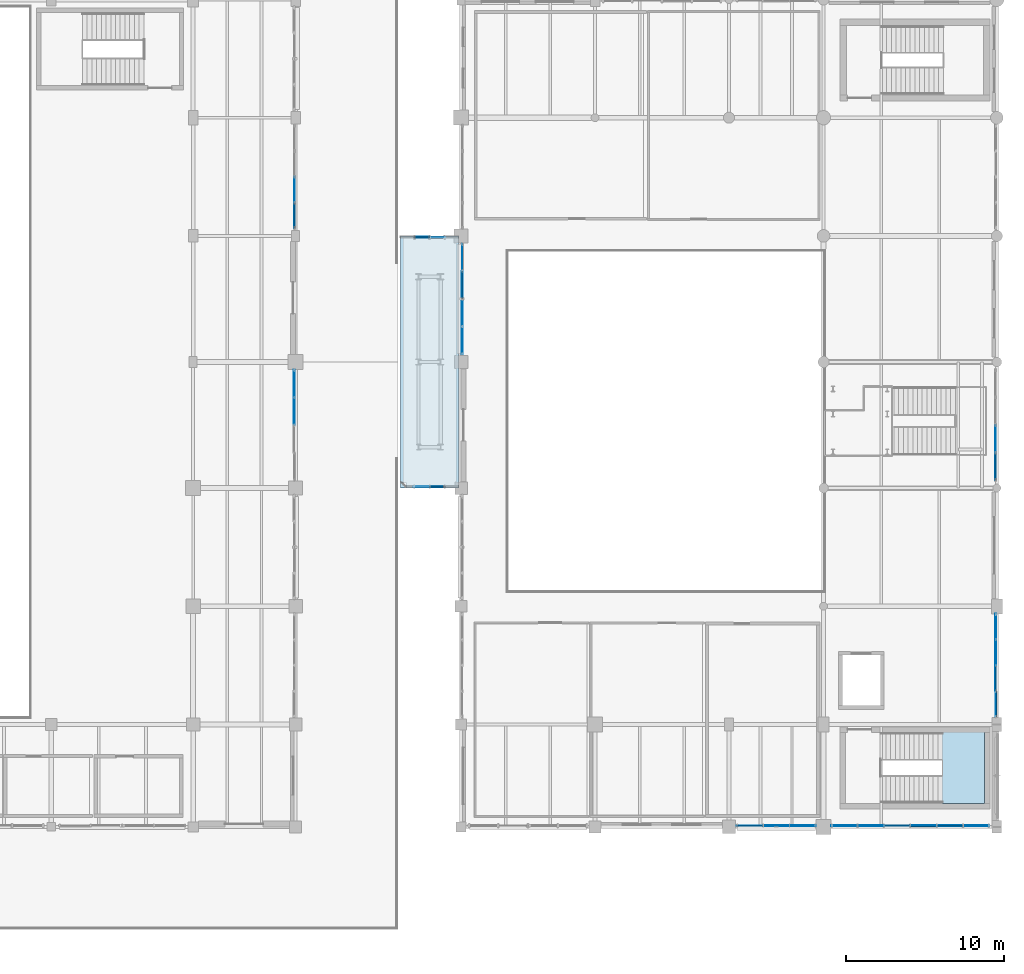
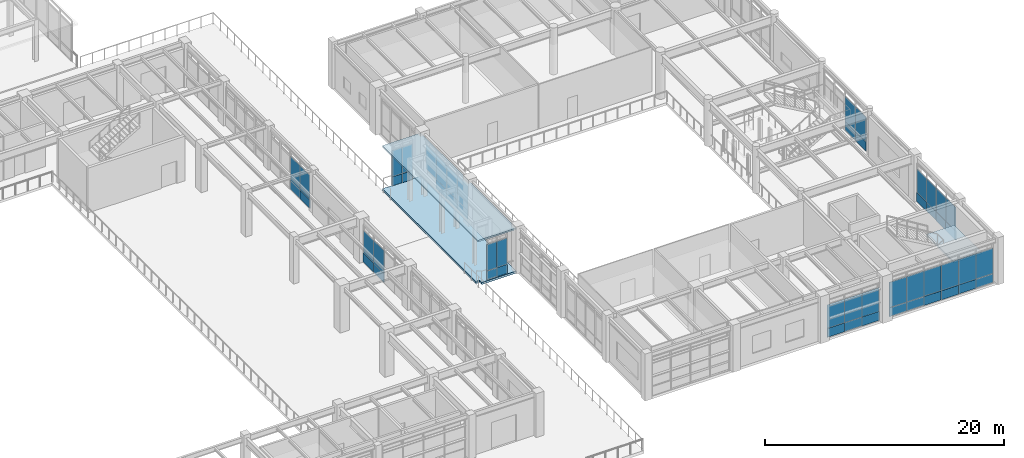
# One storey, part 164 of 200: 53 plates, 3 slabs, 10 elements without a shape of their own.
"""IFC4 building model written with IfcOpenShell, lengths in metres."""

from ifc_helpers import new_model, si_unit, direction, frame, origin, origin_2d, place, context, subcontext, project, spatial, polyline, rectangle, outline, extrude, material, layer, layer_set, type_object, element, aggregate, save


model = new_model("IFC4")

# Units and contexts
model_context = context("Model", 3, precision=1e-05, world=origin(), true_north=direction((0.0, 1.0)))
body_context = subcontext(model_context, "Body", "Model", "MODEL_VIEW")
ifc_project = project(units=[si_unit("LENGTHUNIT", "METRE"), si_unit("AREAUNIT", "SQUARE_METRE"), si_unit("VOLUMEUNIT", "CUBIC_METRE"), si_unit("PLANEANGLEUNIT", "RADIAN"), si_unit("MASSUNIT", "GRAM", prefix="KILO"), si_unit("THERMODYNAMICTEMPERATUREUNIT", "KELVIN"), si_unit("POWERUNIT", "WATT")], contexts=[model_context])

# Site, building, storey
site_placement = place(None, origin())
site = spatial("IfcSite", under=ifc_project, at=site_placement, CompositionType="ELEMENT")
building_placement = place(site_placement, origin())
building = spatial("IfcBuilding", under=site, at=building_placement, Name="Tepalcoro Natatorium and Aquatics Centre", CompositionType="ELEMENT")
storey_placement = place(building_placement, frame((0.0, 0.0, 5.39990234375)))
storey = spatial("IfcBuildingStorey", under=building, at=storey_placement, Name="L01", CompositionType="ELEMENT", Elevation=5.39990234375)

# Curtain wall, plate
ifc_material_1 = material(Name="Bronze-Anodised Extruded Aluminium Alloy EN AW-6063 T6", Category="aluminium")
curtain_wall_type_1 = type_object("IfcCurtainWallType", Name="CW_V1_PLINTH", PredefinedType="USERDEFINED", material=ifc_material_1)
curtain_wall_1_placement = place(storey_placement, origin())
curtain_wall_1 = element("IfcCurtainWall", 1, at=curtain_wall_1_placement, inside=storey, type_object=curtain_wall_type_1, Name="V1 L01 E Unitised Curtain Wall Bay 4", ObjectType="UNITISED STOREFRONT", PredefinedType="USERDEFINED")
ifc_material_2 = material(Name="Solar-Control Bronze Tempered Low-E Double Glazing", Category="glass")
ifc_layer_1 = layer(ifc_material_2, 0.048095703125)
ifc_layer_set_1 = layer_set([ifc_layer_1], Name="Solar-Control Bronze Tempered Low-E Double Glazing")
plate_type_1 = type_object("IfcPlateType", Name="PL_ACOUSTIC_IGU_48", PredefinedType="CURTAIN_PANEL", material=ifc_layer_set_1)
plate_1_placement = place(storey_placement, frame((131.409912109375, 32.8798828125, 0.9599609375), z_axis=(0.0, 0.0, 1.0), x_axis=(1.0, 0.0, 0.0)))
plate_1 = element("IfcPlate", 2, at=plate_1_placement, type_object=plate_type_1, Name="CW_V1_PLINTH Insulated Glazing Unit", PredefinedType="CURTAIN_PANEL", context=body_context, shape_type="SweptSolid", body=[
    extrude(rectangle(XDim=0.048095703125, YDim=1.739990234375, at=origin_2d()), origin(), (0.0, 0.0, 1.0), 2.318115234375),
])

curtain_wall_type_2 = type_object("IfcCurtainWallType", Name="CW_V3_FOYER", PredefinedType="USERDEFINED", material=ifc_material_1)
curtain_wall_2_placement = place(storey_placement, origin())
curtain_wall_2 = element("IfcCurtainWall", 3, at=curtain_wall_2_placement, inside=storey, type_object=curtain_wall_type_2, Name="V1 L01 E Unitised Curtain Wall Bay 6", ObjectType="UNITISED STOREFRONT", PredefinedType="USERDEFINED")
plate_2_placement = place(storey_placement, frame((131.4287109375, 46.9326171875, 0.9599609375), z_axis=(0.0, 0.0, 1.0), x_axis=(1.0, 0.0, 0.0)))
plate_2 = element("IfcPlate", 4, at=plate_2_placement, type_object=plate_type_1, Name="CW_V3_FOYER Insulated Glazing Unit", PredefinedType="CURTAIN_PANEL", context=body_context, shape_type="SweptSolid", body=[
    extrude(rectangle(XDim=0.048095703125, YDim=1.614990234375, at=origin_2d()), origin(), (0.0, 0.0, 1.0), 2.469970703125),
])

curtain_wall_type_3 = type_object("IfcCurtainWallType", Name="CW_V4_VILLAGE", PredefinedType="USERDEFINED", material=ifc_material_1)
curtain_wall_3_placement = place(storey_placement, origin())
curtain_wall_3 = element("IfcCurtainWall", 5, at=curtain_wall_3_placement, inside=storey, type_object=curtain_wall_type_3, Name="V2 L01 S Unitised Curtain Wall Bay 3", ObjectType="UNITISED STOREFRONT", PredefinedType="USERDEFINED")
plate_3_placement = place(storey_placement, frame((163.679931640625, 6.576171875, 0.960205078125), z_axis=(0.0, 0.0, 1.0), x_axis=(1.0, 0.0, 0.0)))
plate_3 = element("IfcPlate", 6, at=plate_3_placement, type_object=plate_type_1, Name="CW_V4_VILLAGE Insulated Glazing Unit", PredefinedType="CURTAIN_PANEL", context=body_context, shape_type="SweptSolid", body=[
    extrude(rectangle(XDim=1.659912109375, YDim=0.048095703125, at=origin_2d()), origin(), (0.0, 0.0, 1.0), 2.39794921875),
])

# Curtain wall, plates
curtain_wall_type_4 = type_object("IfcCurtainWallType", Name="CW_V5_LOWER", PredefinedType="USERDEFINED", material=ifc_material_1)
curtain_wall_4_placement = place(storey_placement, origin())
curtain_wall_4 = element("IfcCurtainWall", 7, at=curtain_wall_4_placement, inside=storey, type_object=curtain_wall_type_4, Name="V2 L01 S Unitised Curtain Wall Bay 4", ObjectType="UNITISED STOREFRONT", PredefinedType="USERDEFINED")
plate_4_placement = place(storey_placement, frame((167.989990234375, 6.580078125, 0.9599609375), z_axis=(0.0, 0.0, 1.0), x_axis=(1.0, 0.0, 0.0)))
plate_4 = element("IfcPlate", 8, at=plate_4_placement, type_object=plate_type_1, Name="CW_V5_LOWER Insulated Glazing Unit", PredefinedType="CURTAIN_PANEL", context=body_context, shape_type="SweptSolid", body=[
    extrude(rectangle(XDim=1.6533203125, YDim=0.048095703125, at=origin_2d()), origin(), (0.0, 0.0, 1.0), 2.596923828125),
])
plate_5_placement = place(storey_placement, frame((173.010009765625, 6.580078125, 0.9599609375), z_axis=(0.0, 0.0, 1.0), x_axis=(1.0, 0.0, 0.0)))
plate_5 = element("IfcPlate", 9, at=plate_5_placement, type_object=plate_type_1, Name="CW_V5_LOWER Insulated Glazing Unit", PredefinedType="CURTAIN_PANEL", context=body_context, shape_type="SweptSolid", body=[
    extrude(rectangle(XDim=1.6533203125, YDim=0.048095703125, at=origin_2d()), origin(), (0.0, 0.0, 1.0), 2.596923828125),
])

# Curtain wall, plate
curtain_wall_type_5 = type_object("IfcCurtainWallType", Name="CW_LEAN_T2_EW", PredefinedType="USERDEFINED", material=ifc_material_1)
curtain_wall_5_placement = place(storey_placement, origin())
curtain_wall_5 = element("IfcCurtainWall", 10, at=curtain_wall_5_placement, inside=storey, type_object=curtain_wall_type_5, Name="V2 L01 W Unitised Curtain Wall Bay 5", ObjectType="FACETED SOLAR GLAZING", PredefinedType="USERDEFINED")
plate_6_placement = place(storey_placement, frame((142.0712890625, 40.8798828125, 0.9599609375), z_axis=(0.0, 0.0, 1.0), x_axis=(1.0, 0.0, 0.0)))
plate_6 = element("IfcPlate", 11, at=plate_6_placement, type_object=plate_type_1, Name="CW_LEAN_T2_EW Insulated Glazing Unit", PredefinedType="CURTAIN_PANEL", context=body_context, shape_type="SweptSolid", body=[
    extrude(rectangle(XDim=0.048095703125, YDim=1.739990234375, at=origin_2d()), origin(), (0.0, 0.0, 1.0), 2.47412109375),
])

curtain_wall_type_6 = type_object("IfcCurtainWallType", Name="CW_LEAN_T2_NS", PredefinedType="USERDEFINED", material=ifc_material_1)
curtain_wall_6_placement = place(storey_placement, origin())
curtain_wall_6 = element("IfcCurtainWall", 12, at=curtain_wall_6_placement, inside=storey, type_object=curtain_wall_type_6, Name="V2 L01 E Unitised Curtain Wall Bay 2", ObjectType="FACETED SOLAR GLAZING", PredefinedType="USERDEFINED")
plate_7_placement = place(storey_placement, frame((175.923828125, 17.5673828125, 0.960205078125), z_axis=(0.0, 0.0, 1.0), x_axis=(1.0, 0.0, 0.0)))
plate_7 = element("IfcPlate", 13, at=plate_7_placement, type_object=plate_type_1, Name="CW_LEAN_T2_NS Insulated Glazing Unit", PredefinedType="CURTAIN_PANEL", context=body_context, shape_type="SweptSolid", body=[
    extrude(rectangle(XDim=0.048095703125, YDim=1.614990234375, at=origin_2d()), origin(), (0.0, 0.0, 1.0), 2.39794921875),
])

curtain_wall_7_placement = place(storey_placement, origin())
curtain_wall_7 = element("IfcCurtainWall", 14, at=curtain_wall_7_placement, inside=storey, type_object=curtain_wall_type_1, Name="V2 L01 E Unitised Curtain Wall Bay 4", ObjectType="UNITISED STOREFRONT", PredefinedType="USERDEFINED")
plate_8_placement = place(storey_placement, frame((175.909912109375, 31.1201171875, 0.9599609375), z_axis=(0.0, 0.0, 1.0), x_axis=(1.0, 0.0, 0.0)))
plate_8 = element("IfcPlate", 15, at=plate_8_placement, type_object=plate_type_1, Name="CW_V1_PLINTH Insulated Glazing Unit", PredefinedType="CURTAIN_PANEL", context=body_context, shape_type="SweptSolid", body=[
    extrude(rectangle(XDim=0.048095703125, YDim=1.739990234375, at=origin_2d()), origin(), (0.0, 0.0, 1.0), 2.550048828125),
])

curtain_wall_type_7 = type_object("IfcCurtainWallType", Name="CW_LINK_150", PredefinedType="USERDEFINED", material=ifc_material_1)
curtain_wall_8_placement = place(storey_placement, origin())
curtain_wall_8 = element("IfcCurtainWall", 16, at=curtain_wall_8_placement, inside=storey, type_object=curtain_wall_type_7, Name="East Diving Seismic Link Glazed Wall S L01", ObjectType="UNITISED STOREFRONT", PredefinedType="USERDEFINED")
plate_9_placement = place(storey_placement, frame((140.5, 28.080078125, 0.9599609375), z_axis=(0.0, 0.0, 1.0), x_axis=(1.0, 0.0, 0.0)))
plate_9 = element("IfcPlate", 17, at=plate_9_placement, type_object=plate_type_1, Name="CW_LINK_150 Insulated Glazing Unit", PredefinedType="CURTAIN_PANEL", context=body_context, shape_type="SweptSolid", body=[
    extrude(rectangle(XDim=0.97998046875, YDim=0.048095703125, at=origin_2d()), origin(), (0.0, 0.0, 1.0), 2.679931640625),
])

curtain_wall_9_placement = place(storey_placement, origin())
curtain_wall_9 = element("IfcCurtainWall", 18, at=curtain_wall_9_placement, inside=storey, type_object=curtain_wall_type_7, Name="East Diving Seismic Link Glazed Wall N L01", ObjectType="UNITISED STOREFRONT", PredefinedType="USERDEFINED")
plate_10_placement = place(storey_placement, frame((139.5, 43.919921875, 0.9599609375), z_axis=(0.0, 0.0, 1.0), x_axis=(1.0, 0.0, 0.0)))
plate_10 = element("IfcPlate", 19, at=plate_10_placement, type_object=plate_type_1, Name="CW_LINK_150 Insulated Glazing Unit", PredefinedType="CURTAIN_PANEL", context=body_context, shape_type="SweptSolid", body=[
    extrude(rectangle(XDim=0.97998046875, YDim=0.048095703125, at=origin_2d()), origin(), (0.0, 0.0, 1.0), 2.679931640625),
])

# Plate
ifc_layer_2 = layer(ifc_material_2, 0.028076171875)
ifc_layer_set_2 = layer_set([ifc_layer_2], Name="Solar-Control Bronze Tempered Low-E Double Glazing")
plate_type_2 = type_object("IfcPlateType", Name="PL_BRONZE_IGU_28", PredefinedType="CURTAIN_PANEL", material=ifc_layer_set_2)
plate_11_placement = place(storey_placement, frame((131.4287109375, 45.297607421875, 0.9599609375), z_axis=(0.0, 0.0, 1.0), x_axis=(1.0, 0.0, 0.0)))
plate_11 = element("IfcPlate", 20, at=plate_11_placement, type_object=plate_type_2, Name="CW_V3_FOYER Insulated Glazing Unit", PredefinedType="CURTAIN_PANEL", context=body_context, shape_type="SweptSolid", body=[
    extrude(rectangle(XDim=0.028076171875, YDim=1.614990234375, at=origin_2d()), origin(), (0.0, 0.0, 1.0), 2.469970703125),
])

plate_12_placement = place(storey_placement, frame((162.0, 6.576171875, 0.960205078125), z_axis=(0.0, 0.0, 1.0), x_axis=(1.0, 0.0, 0.0)))
plate_12 = element("IfcPlate", 21, at=plate_12_placement, type_object=plate_type_2, Name="CW_V4_VILLAGE Insulated Glazing Unit", PredefinedType="CURTAIN_PANEL", context=body_context, shape_type="SweptSolid", body=[
    extrude(rectangle(XDim=1.659912109375, YDim=0.028076171875, at=origin_2d()), origin(), (0.0, 0.0, 1.0), 2.39794921875),
])

plate_13_placement = place(storey_placement, frame((166.316650390625, 6.580078125, 0.9599609375), z_axis=(0.0, 0.0, 1.0), x_axis=(1.0, 0.0, 0.0)))
plate_13 = element("IfcPlate", 22, at=plate_13_placement, type_object=plate_type_2, Name="CW_V5_LOWER Insulated Glazing Unit", PredefinedType="CURTAIN_PANEL", context=body_context, shape_type="SweptSolid", body=[
    extrude(rectangle(XDim=1.6533203125, YDim=0.028076171875, at=origin_2d()), origin(), (0.0, 0.0, 1.0), 2.596923828125),
])

plate_14_placement = place(storey_placement, frame((171.336669921875, 6.580078125, 0.9599609375), z_axis=(0.0, 0.0, 1.0), x_axis=(1.0, 0.0, 0.0)))
plate_14 = element("IfcPlate", 23, at=plate_14_placement, type_object=plate_type_2, Name="CW_V5_LOWER Insulated Glazing Unit", PredefinedType="CURTAIN_PANEL", context=body_context, shape_type="SweptSolid", body=[
    extrude(rectangle(XDim=1.6533203125, YDim=0.028076171875, at=origin_2d()), origin(), (0.0, 0.0, 1.0), 2.596923828125),
])

plate_15_placement = place(storey_placement, frame((142.0712890625, 39.1201171875, 0.9599609375), z_axis=(0.0, 0.0, 1.0), x_axis=(1.0, 0.0, 0.0)))
plate_15 = element("IfcPlate", 24, at=plate_15_placement, type_object=plate_type_2, Name="CW_LEAN_T2_EW Insulated Glazing Unit", PredefinedType="CURTAIN_PANEL", context=body_context, shape_type="SweptSolid", body=[
    extrude(rectangle(XDim=0.028076171875, YDim=1.739990234375, at=origin_2d()), origin(), (0.0, 0.0, 1.0), 2.47412109375),
])

plate_16_placement = place(storey_placement, frame((175.923828125, 15.9326171875, 0.960205078125), z_axis=(0.0, 0.0, 1.0), x_axis=(1.0, 0.0, 0.0)))
plate_16 = element("IfcPlate", 25, at=plate_16_placement, type_object=plate_type_2, Name="CW_LEAN_T2_NS Insulated Glazing Unit", PredefinedType="CURTAIN_PANEL", context=body_context, shape_type="SweptSolid", body=[
    extrude(rectangle(XDim=0.028076171875, YDim=1.614990234375, at=origin_2d()), origin(), (0.0, 0.0, 1.0), 2.39794921875),
])

plate_17_placement = place(storey_placement, frame((175.909912109375, 29.360107421875, 0.9599609375), z_axis=(0.0, 0.0, 1.0), x_axis=(1.0, 0.0, 0.0)))
plate_17 = element("IfcPlate", 26, at=plate_17_placement, type_object=plate_type_2, Name="CW_V1_PLINTH Insulated Glazing Unit", PredefinedType="CURTAIN_PANEL", context=body_context, shape_type="SweptSolid", body=[
    extrude(rectangle(XDim=0.028076171875, YDim=1.739990234375, at=origin_2d()), origin(), (0.0, 0.0, 1.0), 2.550048828125),
])

plate_18_placement = place(storey_placement, frame((139.5, 28.080078125, 0.9599609375), z_axis=(0.0, 0.0, 1.0), x_axis=(1.0, 0.0, 0.0)))
plate_18 = element("IfcPlate", 27, at=plate_18_placement, type_object=plate_type_2, Name="CW_LINK_150 Insulated Glazing Unit", PredefinedType="CURTAIN_PANEL", context=body_context, shape_type="SweptSolid", body=[
    extrude(rectangle(XDim=0.97998046875, YDim=0.028076171875, at=origin_2d()), origin(), (0.0, 0.0, 1.0), 2.679931640625),
])

ifc_material_3 = material(Name="Jalisco Cantera Rosa Volcanic Tuff Ashlar Masonry", Category="masonry")
ifc_layer_3 = layer(ifc_material_3, 0.090087890625)
ifc_layer_set_3 = layer_set([ifc_layer_3], Name="Jalisco Cantera Rosa Volcanic Tuff Ashlar Masonry")
plate_type_3 = type_object("IfcPlateType", Name="PL_CANTERA_90", PredefinedType="SHEET", material=ifc_layer_set_3)
plate_19_placement = place(storey_placement, frame((169.663330078125, 6.580078125, 0.044921875), z_axis=(0.0, 0.0, 1.0), x_axis=(1.0, 0.0, 0.0)))
plate_19 = element("IfcPlate", 28, at=plate_19_placement, type_object=plate_type_3, Name="CW_V5_LOWER Spandrel & Screen Panel", PredefinedType="SHEET", context=body_context, shape_type="SweptSolid", body=[
    extrude(rectangle(XDim=1.6533203125, YDim=0.090087890625, at=origin_2d()), origin(), (0.0, 0.0, 1.0), 0.909912109375),
])

plate_20_placement = place(storey_placement, frame((142.0712890625, 40.8798828125, 0.044921875), z_axis=(0.0, 0.0, 1.0), x_axis=(1.0, 0.0, 0.0)))
plate_20 = element("IfcPlate", 29, at=plate_20_placement, type_object=plate_type_3, Name="CW_LEAN_T2_EW Spandrel & Screen Panel", PredefinedType="SHEET", context=body_context, shape_type="SweptSolid", body=[
    extrude(rectangle(XDim=0.090087890625, YDim=1.739990234375, at=origin_2d()), origin(), (0.0, 0.0, 1.0), 0.909912109375),
])

plate_21_placement = place(storey_placement, frame((140.5, 28.080078125, 0.044921875), z_axis=(0.0, 0.0, 1.0), x_axis=(1.0, 0.0, 0.0)))
plate_21 = element("IfcPlate", 30, at=plate_21_placement, type_object=plate_type_3, Name="CW_LINK_150 Spandrel & Screen Panel", PredefinedType="SHEET", context=body_context, shape_type="SweptSolid", body=[
    extrude(rectangle(XDim=0.97998046875, YDim=0.090087890625, at=origin_2d()), origin(), (0.0, 0.0, 1.0), 0.909912109375),
])

plate_22_placement = place(storey_placement, frame((139.5, 43.919921875, 0.044921875), z_axis=(0.0, 0.0, 1.0), x_axis=(1.0, 0.0, 0.0)))
plate_22 = element("IfcPlate", 31, at=plate_22_placement, type_object=plate_type_3, Name="CW_LINK_150 Spandrel & Screen Panel", PredefinedType="SHEET", context=body_context, shape_type="SweptSolid", body=[
    extrude(rectangle(XDim=0.97998046875, YDim=0.090087890625, at=origin_2d()), origin(), (0.0, 0.0, 1.0), 0.909912109375),
])

ifc_material_4 = material(Name="Clear Tempered Low-E Safety Glazing", Category="glass")
ifc_layer_4 = layer(ifc_material_4, 0.011962890625)
ifc_layer_set_4 = layer_set([ifc_layer_4], Name="Clear Tempered Low-E Safety Glazing")
plate_type_4 = type_object("IfcPlateType", Name="PL_GLASS_12", PredefinedType="CURTAIN_PANEL", material=ifc_layer_set_4)
plate_23_placement = place(storey_placement, frame((131.409912109375, 34.639892578125, 0.9599609375), z_axis=(0.0, 0.0, 1.0), x_axis=(1.0, 0.0, 0.0)))
plate_23 = element("IfcPlate", 32, at=plate_23_placement, type_object=plate_type_4, Name="CW_V1_PLINTH Insulated Glazing Unit", PredefinedType="CURTAIN_PANEL", context=body_context, shape_type="SweptSolid", body=[
    extrude(rectangle(XDim=0.011962890625, YDim=1.739990234375, at=origin_2d()), origin(), (0.0, 0.0, 1.0), 2.318115234375),
])

plate_24_placement = place(storey_placement, frame((160.320068359375, 6.576171875, 0.960205078125), z_axis=(0.0, 0.0, 1.0), x_axis=(1.0, 0.0, 0.0)))
plate_24 = element("IfcPlate", 33, at=plate_24_placement, type_object=plate_type_4, Name="CW_V4_VILLAGE Insulated Glazing Unit", PredefinedType="CURTAIN_PANEL", context=body_context, shape_type="SweptSolid", body=[
    extrude(rectangle(XDim=1.659912109375, YDim=0.011962890625, at=origin_2d()), origin(), (0.0, 0.0, 1.0), 2.39794921875),
])

plate_25_placement = place(storey_placement, frame((169.663330078125, 6.580078125, 0.9599609375), z_axis=(0.0, 0.0, 1.0), x_axis=(1.0, 0.0, 0.0)))
plate_25 = element("IfcPlate", 34, at=plate_25_placement, type_object=plate_type_4, Name="CW_V5_LOWER Insulated Glazing Unit", PredefinedType="CURTAIN_PANEL", context=body_context, shape_type="SweptSolid", body=[
    extrude(rectangle(XDim=1.6533203125, YDim=0.011962890625, at=origin_2d()), origin(), (0.0, 0.0, 1.0), 2.596923828125),
])

plate_26_placement = place(storey_placement, frame((174.683349609375, 6.580078125, 0.9599609375), z_axis=(0.0, 0.0, 1.0), x_axis=(1.0, 0.0, 0.0)))
plate_26 = element("IfcPlate", 35, at=plate_26_placement, type_object=plate_type_4, Name="CW_V5_LOWER Insulated Glazing Unit", PredefinedType="CURTAIN_PANEL", context=body_context, shape_type="SweptSolid", body=[
    extrude(rectangle(XDim=1.6533203125, YDim=0.011962890625, at=origin_2d()), origin(), (0.0, 0.0, 1.0), 2.596923828125),
])

plate_27_placement = place(storey_placement, frame((142.0712890625, 37.360107421875, 0.9599609375), z_axis=(0.0, 0.0, 1.0), x_axis=(1.0, 0.0, 0.0)))
plate_27 = element("IfcPlate", 36, at=plate_27_placement, type_object=plate_type_4, Name="CW_LEAN_T2_EW Insulated Glazing Unit", PredefinedType="CURTAIN_PANEL", context=body_context, shape_type="SweptSolid", body=[
    extrude(rectangle(XDim=0.011962890625, YDim=1.739990234375, at=origin_2d()), origin(), (0.0, 0.0, 1.0), 2.47412109375),
])

plate_28_placement = place(storey_placement, frame((142.0712890625, 42.639892578125, 0.9599609375), z_axis=(0.0, 0.0, 1.0), x_axis=(1.0, 0.0, 0.0)))
plate_28 = element("IfcPlate", 37, at=plate_28_placement, type_object=plate_type_4, Name="CW_LEAN_T2_EW Insulated Glazing Unit", PredefinedType="CURTAIN_PANEL", context=body_context, shape_type="SweptSolid", body=[
    extrude(rectangle(XDim=0.011962890625, YDim=1.739990234375, at=origin_2d()), origin(), (0.0, 0.0, 1.0), 2.47412109375),
])

plate_29_placement = place(storey_placement, frame((175.923828125, 14.297607421875, 0.960205078125), z_axis=(0.0, 0.0, 1.0), x_axis=(1.0, 0.0, 0.0)))
plate_29 = element("IfcPlate", 38, at=plate_29_placement, type_object=plate_type_4, Name="CW_LEAN_T2_NS Insulated Glazing Unit", PredefinedType="CURTAIN_PANEL", context=body_context, shape_type="SweptSolid", body=[
    extrude(rectangle(XDim=0.011962890625, YDim=1.614990234375, at=origin_2d()), origin(), (0.0, 0.0, 1.0), 2.39794921875),
])

plate_30_placement = place(storey_placement, frame((175.923828125, 19.202392578125, 0.960205078125), z_axis=(0.0, 0.0, 1.0), x_axis=(1.0, 0.0, 0.0)))
plate_30 = element("IfcPlate", 39, at=plate_30_placement, type_object=plate_type_4, Name="CW_LEAN_T2_NS Insulated Glazing Unit", PredefinedType="CURTAIN_PANEL", context=body_context, shape_type="SweptSolid", body=[
    extrude(rectangle(XDim=0.011962890625, YDim=1.614990234375, at=origin_2d()), origin(), (0.0, 0.0, 1.0), 2.39794921875),
])

plate_31_placement = place(storey_placement, frame((140.5, 43.919921875, 0.9599609375), z_axis=(0.0, 0.0, 1.0), x_axis=(1.0, 0.0, 0.0)))
plate_31 = element("IfcPlate", 40, at=plate_31_placement, type_object=plate_type_4, Name="CW_LINK_150 Insulated Glazing Unit", PredefinedType="CURTAIN_PANEL", context=body_context, shape_type="SweptSolid", body=[
    extrude(rectangle(XDim=0.97998046875, YDim=0.011962890625, at=origin_2d()), origin(), (0.0, 0.0, 1.0), 2.679931640625),
])

ifc_material_5 = material(Name="Volcanic Recinto Basalt Ashlar Masonry", Category="masonry")
ifc_layer_5 = layer(ifc_material_5, 0.110107421875)
ifc_layer_set_5 = layer_set([ifc_layer_5], Name="Volcanic Recinto Basalt Ashlar Masonry")
plate_type_5 = type_object("IfcPlateType", Name="PL_RECINTO_110", PredefinedType="SHEET", material=ifc_layer_set_5)
plate_32_placement = place(storey_placement, frame((171.336669921875, 6.580078125, 0.044921875), z_axis=(0.0, 0.0, 1.0), x_axis=(1.0, 0.0, 0.0)))
plate_32 = element("IfcPlate", 41, at=plate_32_placement, type_object=plate_type_5, Name="CW_V5_LOWER Spandrel & Screen Panel", PredefinedType="SHEET", context=body_context, shape_type="SweptSolid", body=[
    extrude(rectangle(XDim=1.6533203125, YDim=0.110107421875, at=origin_2d()), origin(), (0.0, 0.0, 1.0), 0.909912109375),
])

plate_33_placement = place(storey_placement, frame((175.923828125, 14.297607421875, 0.044921875), z_axis=(0.0, 0.0, 1.0), x_axis=(1.0, 0.0, 0.0)))
plate_33 = element("IfcPlate", 42, at=plate_33_placement, type_object=plate_type_5, Name="CW_LEAN_T2_NS Spandrel & Screen Panel", PredefinedType="SHEET", context=body_context, shape_type="SweptSolid", body=[
    extrude(rectangle(XDim=0.110107421875, YDim=1.614990234375, at=origin_2d()), origin(), (0.0, 0.0, 1.0), 0.909912109375),
])

plate_34_placement = place(storey_placement, frame((140.5, 43.919921875, 0.044921875), z_axis=(0.0, 0.0, 1.0), x_axis=(1.0, 0.0, 0.0)))
plate_34 = element("IfcPlate", 43, at=plate_34_placement, type_object=plate_type_5, Name="CW_LINK_150 Spandrel & Screen Panel", PredefinedType="SHEET", context=body_context, shape_type="SweptSolid", body=[
    extrude(rectangle(XDim=0.97998046875, YDim=0.110107421875, at=origin_2d()), origin(), (0.0, 0.0, 1.0), 0.909912109375),
])

aggregate(curtain_wall_9, [plate_10, plate_22, plate_31, plate_34])

ifc_layer_6 = layer(ifc_material_1, 0.050048828125)
ifc_layer_set_6 = layer_set([ifc_layer_6], Name="Bronze-Anodised Extruded Aluminium Alloy EN AW-6063 T6")
plate_type_6 = type_object("IfcPlateType", Name="PL_SCREEN_50", PredefinedType="SHEET", material=ifc_layer_set_6)
plate_35_placement = place(storey_placement, frame((131.409912109375, 32.8798828125, 0.044921875), z_axis=(0.0, 0.0, 1.0), x_axis=(1.0, 0.0, 0.0)))
plate_35 = element("IfcPlate", 44, at=plate_35_placement, type_object=plate_type_6, Name="CW_V1_PLINTH Spandrel & Screen Panel", PredefinedType="SHEET", context=body_context, shape_type="SweptSolid", body=[
    extrude(rectangle(XDim=0.050048828125, YDim=1.739990234375, at=origin_2d()), origin(), (0.0, 0.0, 1.0), 0.909912109375),
])

plate_36_placement = place(storey_placement, frame((131.4287109375, 46.9326171875, 0.044921875), z_axis=(0.0, 0.0, 1.0), x_axis=(1.0, 0.0, 0.0)))
plate_36 = element("IfcPlate", 45, at=plate_36_placement, type_object=plate_type_6, Name="CW_V3_FOYER Spandrel & Screen Panel", PredefinedType="SHEET", context=body_context, shape_type="SweptSolid", body=[
    extrude(rectangle(XDim=0.050048828125, YDim=1.614990234375, at=origin_2d()), origin(), (0.0, 0.0, 1.0), 0.909912109375),
])

plate_37_placement = place(storey_placement, frame((162.0, 6.576171875, 0.044921875), z_axis=(0.0, 0.0, 1.0), x_axis=(1.0, 0.0, 0.0)))
plate_37 = element("IfcPlate", 46, at=plate_37_placement, type_object=plate_type_6, Name="CW_V4_VILLAGE Spandrel & Screen Panel", PredefinedType="SHEET", context=body_context, shape_type="SweptSolid", body=[
    extrude(rectangle(XDim=1.659912109375, YDim=0.050048828125, at=origin_2d()), origin(), (0.0, 0.0, 1.0), 0.909912109375),
])

plate_38_placement = place(storey_placement, frame((166.316650390625, 6.580078125, 0.044921875), z_axis=(0.0, 0.0, 1.0), x_axis=(1.0, 0.0, 0.0)))
plate_38 = element("IfcPlate", 47, at=plate_38_placement, type_object=plate_type_6, Name="CW_V5_LOWER Spandrel & Screen Panel", PredefinedType="SHEET", context=body_context, shape_type="SweptSolid", body=[
    extrude(rectangle(XDim=1.6533203125, YDim=0.050048828125, at=origin_2d()), origin(), (0.0, 0.0, 1.0), 0.909912109375),
])

plate_39_placement = place(storey_placement, frame((174.683349609375, 6.580078125, 0.044921875), z_axis=(0.0, 0.0, 1.0), x_axis=(1.0, 0.0, 0.0)))
plate_39 = element("IfcPlate", 48, at=plate_39_placement, type_object=plate_type_6, Name="CW_V5_LOWER Spandrel & Screen Panel", PredefinedType="SHEET", context=body_context, shape_type="SweptSolid", body=[
    extrude(rectangle(XDim=1.6533203125, YDim=0.050048828125, at=origin_2d()), origin(), (0.0, 0.0, 1.0), 0.909912109375),
])

plate_40_placement = place(storey_placement, frame((142.0712890625, 37.360107421875, 0.044921875), z_axis=(0.0, 0.0, 1.0), x_axis=(1.0, 0.0, 0.0)))
plate_40 = element("IfcPlate", 49, at=plate_40_placement, type_object=plate_type_6, Name="CW_LEAN_T2_EW Spandrel & Screen Panel", PredefinedType="SHEET", context=body_context, shape_type="SweptSolid", body=[
    extrude(rectangle(XDim=0.050048828125, YDim=1.739990234375, at=origin_2d()), origin(), (0.0, 0.0, 1.0), 0.909912109375),
])

plate_41_placement = place(storey_placement, frame((175.923828125, 17.5673828125, 0.044921875), z_axis=(0.0, 0.0, 1.0), x_axis=(1.0, 0.0, 0.0)))
plate_41 = element("IfcPlate", 50, at=plate_41_placement, type_object=plate_type_6, Name="CW_LEAN_T2_NS Spandrel & Screen Panel", PredefinedType="SHEET", context=body_context, shape_type="SweptSolid", body=[
    extrude(rectangle(XDim=0.050048828125, YDim=1.614990234375, at=origin_2d()), origin(), (0.0, 0.0, 1.0), 0.909912109375),
])

plate_42_placement = place(storey_placement, frame((175.909912109375, 31.1201171875, 0.044921875), z_axis=(0.0, 0.0, 1.0), x_axis=(1.0, 0.0, 0.0)))
plate_42 = element("IfcPlate", 51, at=plate_42_placement, type_object=plate_type_6, Name="CW_V1_PLINTH Spandrel & Screen Panel", PredefinedType="SHEET", context=body_context, shape_type="SweptSolid", body=[
    extrude(rectangle(XDim=0.050048828125, YDim=1.739990234375, at=origin_2d()), origin(), (0.0, 0.0, 1.0), 0.909912109375),
])

ifc_layer_7 = layer(ifc_material_1, 0.06005859375)
ifc_layer_set_7 = layer_set([ifc_layer_7], Name="Bronze-Anodised Extruded Aluminium Alloy EN AW-6063 T6")
plate_type_7 = type_object("IfcPlateType", Name="PL_SCREEN_60", PredefinedType="SHEET", material=ifc_layer_set_7)
plate_43_placement = place(storey_placement, frame((131.409912109375, 34.639892578125, 0.044921875), z_axis=(0.0, 0.0, 1.0), x_axis=(1.0, 0.0, 0.0)))
plate_43 = element("IfcPlate", 52, at=plate_43_placement, type_object=plate_type_7, Name="CW_V1_PLINTH Spandrel & Screen Panel", PredefinedType="SHEET", context=body_context, shape_type="SweptSolid", body=[
    extrude(rectangle(XDim=0.06005859375, YDim=1.739990234375, at=origin_2d()), origin(), (0.0, 0.0, 1.0), 0.909912109375),
])

aggregate(curtain_wall_1, [plate_1, plate_35, plate_23, plate_43])

plate_44_placement = place(storey_placement, frame((163.679931640625, 6.576171875, 0.044921875), z_axis=(0.0, 0.0, 1.0), x_axis=(1.0, 0.0, 0.0)))
plate_44 = element("IfcPlate", 53, at=plate_44_placement, type_object=plate_type_7, Name="CW_V4_VILLAGE Spandrel & Screen Panel", PredefinedType="SHEET", context=body_context, shape_type="SweptSolid", body=[
    extrude(rectangle(XDim=1.659912109375, YDim=0.06005859375, at=origin_2d()), origin(), (0.0, 0.0, 1.0), 0.909912109375),
])

plate_45_placement = place(storey_placement, frame((167.989990234375, 6.580078125, 0.044921875), z_axis=(0.0, 0.0, 1.0), x_axis=(1.0, 0.0, 0.0)))
plate_45 = element("IfcPlate", 54, at=plate_45_placement, type_object=plate_type_7, Name="CW_V5_LOWER Spandrel & Screen Panel", PredefinedType="SHEET", context=body_context, shape_type="SweptSolid", body=[
    extrude(rectangle(XDim=1.6533203125, YDim=0.06005859375, at=origin_2d()), origin(), (0.0, 0.0, 1.0), 0.909912109375),
])

plate_46_placement = place(storey_placement, frame((142.0712890625, 39.1201171875, 0.044921875), z_axis=(0.0, 0.0, 1.0), x_axis=(1.0, 0.0, 0.0)))
plate_46 = element("IfcPlate", 55, at=plate_46_placement, type_object=plate_type_7, Name="CW_LEAN_T2_EW Spandrel & Screen Panel", PredefinedType="SHEET", context=body_context, shape_type="SweptSolid", body=[
    extrude(rectangle(XDim=0.06005859375, YDim=1.739990234375, at=origin_2d()), origin(), (0.0, 0.0, 1.0), 0.909912109375),
])

aggregate(curtain_wall_5, [plate_27, plate_40, plate_15, plate_46, plate_6, plate_20, plate_28])

plate_47_placement = place(storey_placement, frame((175.923828125, 19.202392578125, 0.044921875), z_axis=(0.0, 0.0, 1.0), x_axis=(1.0, 0.0, 0.0)))
plate_47 = element("IfcPlate", 56, at=plate_47_placement, type_object=plate_type_7, Name="CW_LEAN_T2_NS Spandrel & Screen Panel", PredefinedType="SHEET", context=body_context, shape_type="SweptSolid", body=[
    extrude(rectangle(XDim=0.06005859375, YDim=1.614990234375, at=origin_2d()), origin(), (0.0, 0.0, 1.0), 0.909912109375),
])

plate_48_placement = place(storey_placement, frame((139.5, 28.080078125, 0.044921875), z_axis=(0.0, 0.0, 1.0), x_axis=(1.0, 0.0, 0.0)))
plate_48 = element("IfcPlate", 57, at=plate_48_placement, type_object=plate_type_7, Name="CW_LINK_150 Spandrel & Screen Panel", PredefinedType="SHEET", context=body_context, shape_type="SweptSolid", body=[
    extrude(rectangle(XDim=0.97998046875, YDim=0.06005859375, at=origin_2d()), origin(), (0.0, 0.0, 1.0), 0.909912109375),
])

aggregate(curtain_wall_8, [plate_18, plate_48, plate_9, plate_21])

ifc_material_6 = material(Name="Insulated Bronze Anodised Aluminium Spandrel Panel", Category="aluminium")
ifc_layer_8 = layer(ifc_material_6, 0.070068359375)
ifc_layer_set_8 = layer_set([ifc_layer_8], Name="Insulated Bronze Anodised Aluminium Spandrel Panel")
plate_type_8 = type_object("IfcPlateType", Name="PL_SPANDREL_70", PredefinedType="CURTAIN_PANEL", material=ifc_layer_set_8)
plate_49_placement = place(storey_placement, frame((131.4287109375, 45.297607421875, 0.044921875), z_axis=(0.0, 0.0, 1.0), x_axis=(1.0, 0.0, 0.0)))
plate_49 = element("IfcPlate", 58, at=plate_49_placement, type_object=plate_type_8, Name="CW_V3_FOYER Spandrel & Screen Panel", PredefinedType="CURTAIN_PANEL", context=body_context, shape_type="SweptSolid", body=[
    extrude(rectangle(XDim=0.070068359375, YDim=1.614990234375, at=origin_2d()), origin(), (0.0, 0.0, 1.0), 0.909912109375),
])

aggregate(curtain_wall_2, [plate_11, plate_49, plate_2, plate_36])

plate_50_placement = place(storey_placement, frame((160.320068359375, 6.576171875, 0.044921875), z_axis=(0.0, 0.0, 1.0), x_axis=(1.0, 0.0, 0.0)))
plate_50 = element("IfcPlate", 59, at=plate_50_placement, type_object=plate_type_8, Name="CW_V4_VILLAGE Spandrel & Screen Panel", PredefinedType="CURTAIN_PANEL", context=body_context, shape_type="SweptSolid", body=[
    extrude(rectangle(XDim=1.659912109375, YDim=0.070068359375, at=origin_2d()), origin(), (0.0, 0.0, 1.0), 0.909912109375),
])

aggregate(curtain_wall_3, [plate_24, plate_50, plate_12, plate_37, plate_3, plate_44])

plate_51_placement = place(storey_placement, frame((173.010009765625, 6.580078125, 0.044921875), z_axis=(0.0, 0.0, 1.0), x_axis=(1.0, 0.0, 0.0)))
plate_51 = element("IfcPlate", 60, at=plate_51_placement, type_object=plate_type_8, Name="CW_V5_LOWER Spandrel & Screen Panel", PredefinedType="CURTAIN_PANEL", context=body_context, shape_type="SweptSolid", body=[
    extrude(rectangle(XDim=1.6533203125, YDim=0.070068359375, at=origin_2d()), origin(), (0.0, 0.0, 1.0), 0.909912109375),
])

aggregate(curtain_wall_4, [plate_13, plate_38, plate_4, plate_45, plate_25, plate_19, plate_14, plate_32, plate_5, plate_51, plate_26, plate_39])

plate_52_placement = place(storey_placement, frame((175.923828125, 15.9326171875, 0.044921875), z_axis=(0.0, 0.0, 1.0), x_axis=(1.0, 0.0, 0.0)))
plate_52 = element("IfcPlate", 61, at=plate_52_placement, type_object=plate_type_8, Name="CW_LEAN_T2_NS Spandrel & Screen Panel", PredefinedType="CURTAIN_PANEL", context=body_context, shape_type="SweptSolid", body=[
    extrude(rectangle(XDim=0.070068359375, YDim=1.614990234375, at=origin_2d()), origin(), (0.0, 0.0, 1.0), 0.909912109375),
])

aggregate(curtain_wall_6, [plate_29, plate_33, plate_16, plate_52, plate_7, plate_41, plate_30, plate_47])

plate_53_placement = place(storey_placement, frame((175.909912109375, 29.360107421875, 0.044921875), z_axis=(0.0, 0.0, 1.0), x_axis=(1.0, 0.0, 0.0)))
plate_53 = element("IfcPlate", 62, at=plate_53_placement, type_object=plate_type_8, Name="CW_V1_PLINTH Spandrel & Screen Panel", PredefinedType="CURTAIN_PANEL", context=body_context, shape_type="SweptSolid", body=[
    extrude(rectangle(XDim=0.070068359375, YDim=1.739990234375, at=origin_2d()), origin(), (0.0, 0.0, 1.0), 0.909912109375),
])

aggregate(curtain_wall_7, [plate_17, plate_53, plate_8, plate_42])

# Slab
ifc_material_7 = material(Name="Concrete C35/45 (fc 35 MPa)", Category="concrete")
ifc_layer_9 = layer(ifc_material_7, 0.219970703125)
ifc_layer_set_9 = layer_set([ifc_layer_9], Name="Concrete C35/45 (fc 35 MPa)")
slab_type_1 = type_object("IfcSlabType", Name="SL_FLOOR_220", PredefinedType="FLOOR", material=ifc_layer_set_9)
slab_1_placement = place(storey_placement, frame((0.0, 0.0, -0.219970703125)))
element("IfcSlab", 63, at=slab_1_placement, inside=storey, type_object=slab_type_1, Name="East Diving Seismic Link L01 Bridge Slab", PredefinedType="FLOOR", context=body_context, shape_type="SweptSolid", body=[
    extrude(outline(polyline([(138.14990234375, 44.0), (141.85009765625, 44.0), (141.85009765625, 28.0), (138.5, 28.0), (138.5, 28.35009765625), (138.14990234375, 28.35009765625), (138.14990234375, 44.0)])), origin(), (0.0, 0.0, 1.0), 0.219970703125),
])

# Stair, slab
stair_type = type_object("IfcStairType", Name="ST_RC_1800_L03", PredefinedType="HALF_TURN_STAIR", material=ifc_material_7)
stair_placement = place(storey_placement, origin())
stair = element("IfcStair", 64, at=stair_placement, inside=storey, type_object=stair_type, Name="Diving Wing South Fire Stair (L01 to L02)", PredefinedType="HALF_TURN_STAIR")
ifc_layer_10 = layer(ifc_material_7, 0.199951171875)
ifc_layer_set_10 = layer_set([ifc_layer_10], Name="Concrete C35/45 (fc 35 MPa)")
slab_type_2 = type_object("IfcSlabType", Name="SL_LANDING_200", PredefinedType="LANDING", material=ifc_layer_set_10)
slab_2_placement = place(storey_placement, frame((0.0, 0.0, 2.2001953125)))
slab_2 = element("IfcSlab", 65, at=slab_2_placement, type_object=slab_type_2, Name="Diving Wing South Fire Stair (L01 to L02) Half-Landing", PredefinedType="LANDING", context=body_context, shape_type="SweptSolid", body=[
    extrude(outline(polyline([(172.510009765625, 7.97998046875), (175.219970703125, 7.97998046875), (175.219970703125, 12.52001953125), (172.510009765625, 12.52001953125), (172.510009765625, 7.97998046875)])), origin(), (0.0, 0.0, 1.0), 0.199951171875),
])
aggregate(stair, [slab_2])

# Slab
ifc_layer_11 = layer(ifc_material_7, 0.159912109375)
ifc_layer_set_11 = layer_set([ifc_layer_11], Name="Concrete C35/45 (fc 35 MPa)")
slab_type_3 = type_object("IfcSlabType", Name="SL_ROOF_160", PredefinedType="ROOF", material=ifc_layer_set_11)
slab_3_placement = place(storey_placement, frame((0.0, 0.0, 4.239990234375)))
element("IfcSlab", 66, at=slab_3_placement, inside=storey, type_object=slab_type_3, Name="East Diving Seismic Link Roof Slab", PredefinedType="ROOF", context=body_context, shape_type="SweptSolid", body=[
    extrude(outline(polyline([(141.85009765625, 28.0), (141.85009765625, 44.0), (138.14990234375, 44.0), (138.14990234375, 28.0), (141.85009765625, 28.0)])), origin(), (0.0, 0.0, 1.0), 0.16015625),
])

save(model, "model.ifc")
